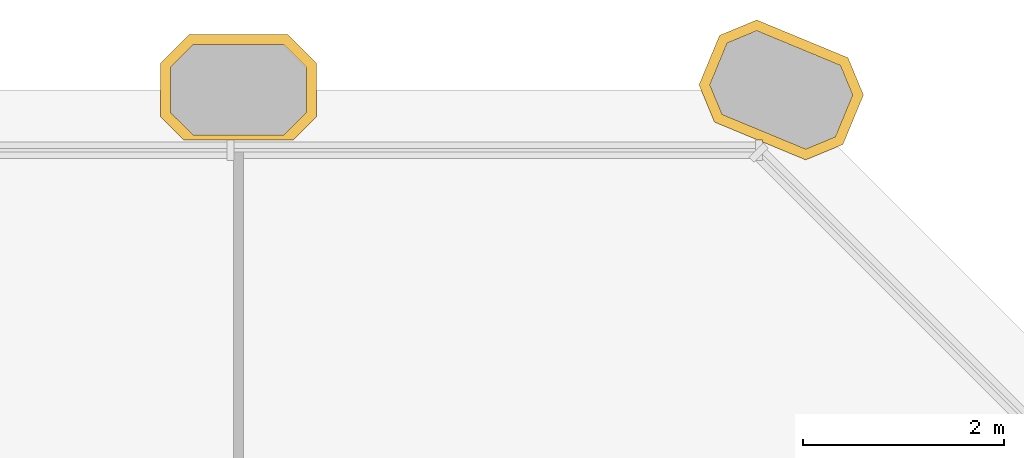
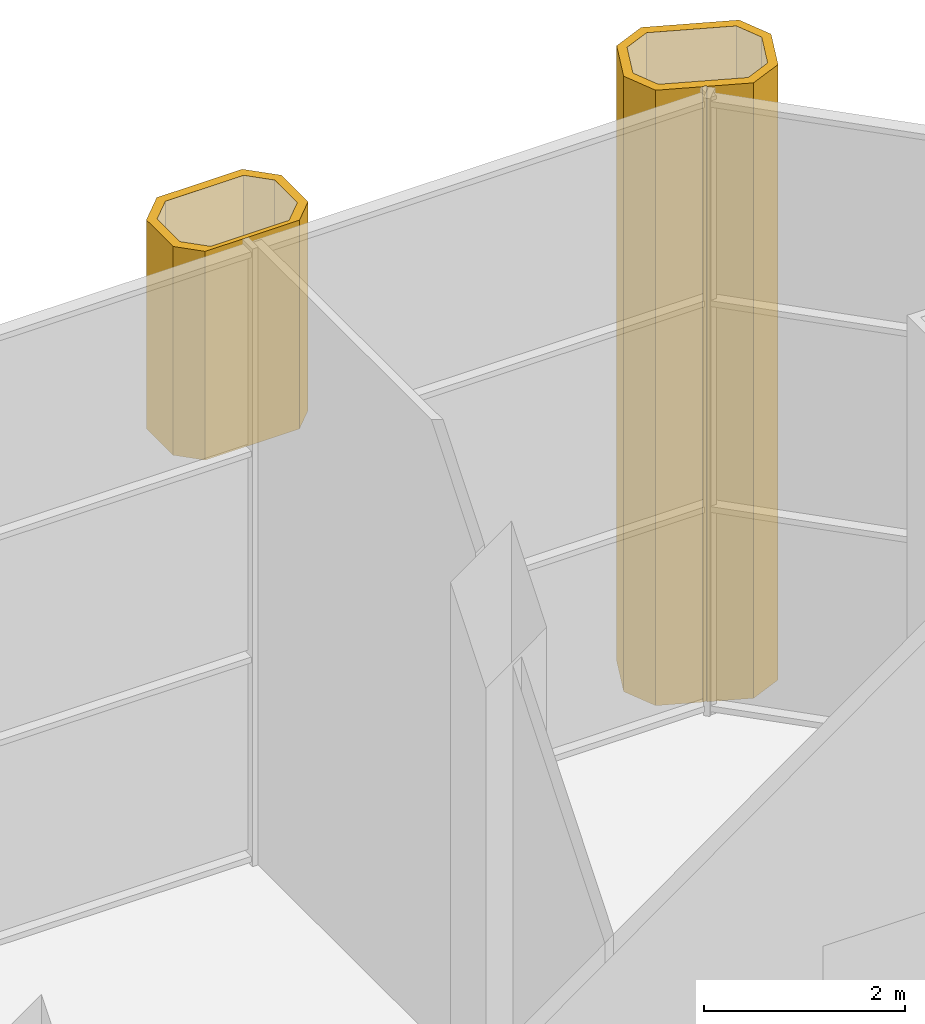
# One storey, part 19 of 20: 2 coverings.
"""IFC4 building model written with IfcOpenShell, lengths in metres."""

from ifc_helpers import new_model, si_unit, direction, frame, origin, place, context, subcontext, project, spatial, polyline, outline, extrude, material, layer, layer_set, type_object, element, save


model = new_model("IFC4")

# Units and contexts
model_context = context("Model", 3, precision=1e-05, world=origin(), true_north=direction((0.0, 1.0)))
body_context = subcontext(model_context, "Body", "Model", "MODEL_VIEW")
ifc_project = project(units=[si_unit("LENGTHUNIT", "METRE"), si_unit("AREAUNIT", "SQUARE_METRE"), si_unit("VOLUMEUNIT", "CUBIC_METRE"), si_unit("PLANEANGLEUNIT", "RADIAN"), si_unit("MASSUNIT", "GRAM", prefix="KILO")], contexts=[model_context])

# Site, building, storey
site_placement = place(None, origin())
site = spatial("IfcSite", under=ifc_project, at=site_placement, CompositionType="ELEMENT")
building_placement = place(site_placement, origin())
building = spatial("IfcBuilding", under=site, at=building_placement, Name="Tabaq Tower and Sports Hall", CompositionType="ELEMENT")
storey_placement = place(building_placement, frame((0.0, 0.0, 243.10009765625)))
storey = spatial("IfcBuildingStorey", under=building, at=storey_placement, Name="L60", CompositionType="ELEMENT", Elevation=243.10009765625)

# Coverings
ifc_material = material(Name="Precast concrete C60/75", Category="concrete")
ifc_layer = layer(ifc_material, 0.10009765625)
ifc_layer_set = layer_set([ifc_layer], Name="Column cladding 100")
covering_type = type_object("IfcCoveringType", Name="Column cladding 100", PredefinedType="CLADDING", material=ifc_layer_set)
covering_1_placement = place(storey_placement, frame((0.0, 0.0, 4.96484375)))
element("IfcCovering", 1, at=covering_1_placement, inside=storey, type_object=covering_type, Name="Column cladding L60 PC-7I-S2 head", PredefinedType="CLADDING", context=body_context, shape_type="SweptSolid", body=[
    extrude(outline(polyline([(31.90869140625, 43.749755859375), (32.891357421875, 43.749755859375), (33.1748046875, 43.46630859375), (33.1748046875, 42.93359375), (32.94140625, 42.7001953125), (31.858642578125, 42.7001953125), (31.625244140625, 42.93359375), (31.625244140625, 43.46630859375), (31.90869140625, 43.749755859375)]), holes=[polyline([(33.0751953125, 43.425048828125), (32.85009765625, 43.650390625), (31.949951171875, 43.650390625), (31.724609375, 43.425048828125), (31.724609375, 42.974853515625), (31.949951171875, 42.749755859375), (32.85009765625, 42.749755859375), (33.0751953125, 42.974853515625), (33.0751953125, 43.425048828125)])]), origin(), (0.0, 0.0, 1.0), 2.53515625),
])
covering_2_placement = place(storey_placement, frame((0.0, 0.0, 0.02685546875)))
element("IfcCovering", 2, at=covering_2_placement, inside=storey, type_object=covering_type, Name="Column cladding L60 PC-8I-S2", PredefinedType="CLADDING", context=body_context, shape_type="SweptSolid", body=[
    extrude(outline(polyline([(38.413818359375, 42.657470703125), (38.04345703125, 42.504150390625), (37.614013671875, 42.68212890625), (37.614013671875, 42.7001953125), (37.570068359375, 42.7001953125), (37.1357421875, 42.880126953125), (36.982421875, 43.25048828125), (37.186279296875, 43.742431640625), (37.556396484375, 43.895751953125), (38.46435546875, 43.519775390625), (38.61767578125, 43.149658203125), (38.413818359375, 42.657470703125)]), holes=[polyline([(37.26220703125, 43.66650390625), (37.08984375, 43.25048828125), (37.2119140625, 42.956298828125), (38.04345703125, 42.61181640625), (38.337646484375, 42.733642578125), (38.510009765625, 43.149658203125), (38.38818359375, 43.44384765625), (37.556396484375, 43.788330078125), (37.26220703125, 43.66650390625)])]), origin(), (0.0, 0.0, 1.0), 7.47314453125),
])

save(model, "model.ifc")
